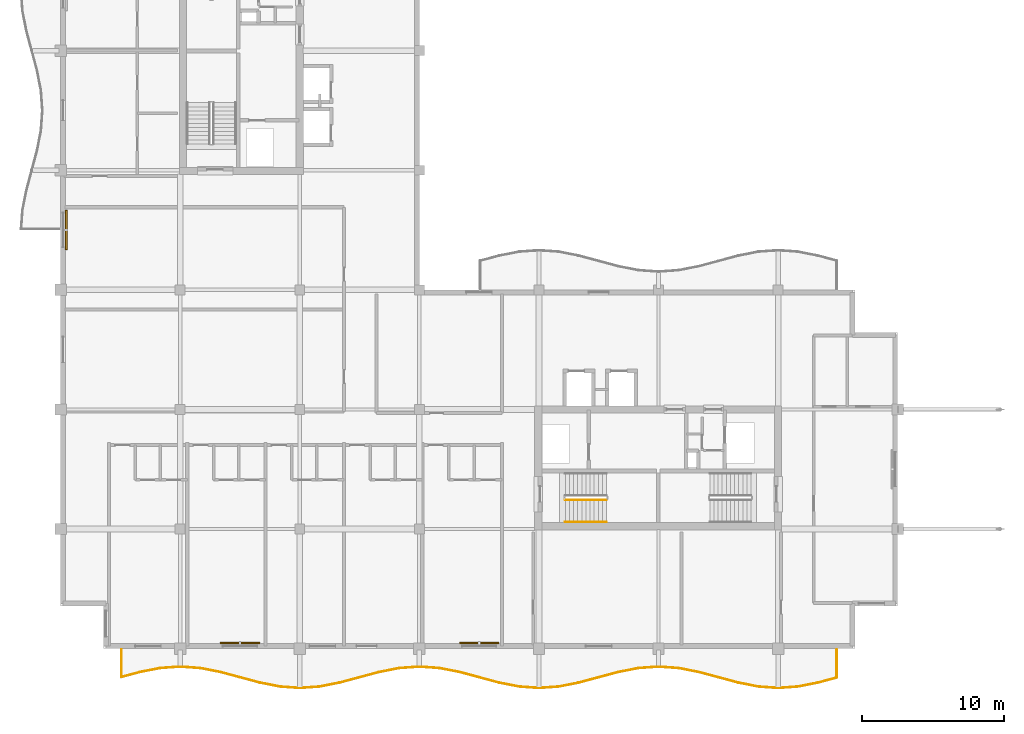
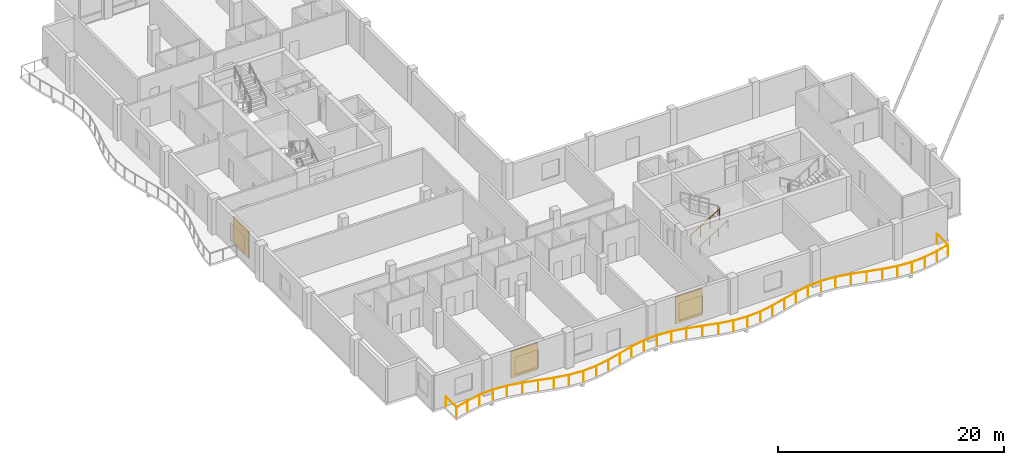
# One storey, part 15 of 17: 3 railings, 3 shading devices.
"""IFC4 building model written with IfcOpenShell, lengths in metres."""

from ifc_helpers import new_model, si_unit, direction, frame, origin, origin_2d, place, context, subcontext, project, spatial, rectangle, circle, extrude, material, layer, layer_set, type_object, element, save


model = new_model("IFC4")

# Units and contexts
model_context = context("Model", 3, precision=1e-05, world=origin(), true_north=direction((0.0, 1.0)))
body_context = subcontext(model_context, "Body", "Model", "MODEL_VIEW")
ifc_project = project(units=[si_unit("LENGTHUNIT", "METRE"), si_unit("AREAUNIT", "SQUARE_METRE"), si_unit("VOLUMEUNIT", "CUBIC_METRE"), si_unit("PLANEANGLEUNIT", "RADIAN"), si_unit("MASSUNIT", "GRAM", prefix="KILO")], contexts=[model_context])

# Site, building, storey
site_placement = place(None, origin())
site = spatial("IfcSite", under=ifc_project, at=site_placement, CompositionType="ELEMENT")
building_placement = place(site_placement, origin())
building = spatial("IfcBuilding", under=site, at=building_placement, Name="Koriwani Terraces Tower", CompositionType="ELEMENT")
storey_placement = place(building_placement, frame((0.0, 0.0, 347.60009765625)))
storey = spatial("IfcBuildingStorey", under=building, at=storey_placement, Name="L86", CompositionType="ELEMENT", Elevation=347.60009765625)

# Railings
ifc_material_1 = material(Name="Steel ASTM A572 Grade 50", Category="steel")
railing_type_1 = type_object("IfcRailingType", Name="GUARD_BALUSTRADE_1150", PredefinedType="BALUSTRADE", material=ifc_material_1)
railing_1_placement = place(storey_placement, frame((12.679931640625, 8.320068359375, 0.0)))
element("IfcRailing", 1, at=railing_1_placement, inside=storey, type_object=railing_type_1, Name="L86 Balcony Perimeter Safety Balustrade (S)", PredefinedType="BALUSTRADE", context=body_context, shape_type="SweptSolid", body=[
    extrude(circle(Radius=0.02392578125, at=origin_2d()), frame((0.0, 0.0, 1.1259765625), z_axis=(0.0, -1.0, 0.0), x_axis=(1.0, 0.0, 0.0)), (0.0, 0.0, 1.0), 1.915771484375),
    extrude(circle(Radius=0.02392578125, at=origin_2d()), frame((0.0, -1.915771484375, 1.1259765625), z_axis=(0.965969874285, 0.258654599752, 0.0), x_axis=(-0.258654599752, 0.965969874285, 0.0)), (0.0, 0.0, 1.0), 1.347900390625),
    extrude(circle(Radius=0.02392578125, at=origin_2d()), frame((1.302001953125, -1.567138671875, 1.1259765625), z_axis=(0.981358469957, 0.192186246762, 0.0), x_axis=(-0.192186246762, 0.981358469957, 0.0)), (0.0, 0.0, 1.0), 1.434326171875),
    extrude(circle(Radius=0.02392578125, at=origin_2d()), frame((2.70947265625, -1.29150390625, 1.1259765625), z_axis=(0.997430581876, 0.071639614309, 0.0), x_axis=(-0.071639614309, 0.997430581876, 0.0)), (0.0, 0.0, 1.0), 1.414306640625),
    extrude(circle(Radius=0.02392578125, at=origin_2d()), frame((4.1201171875, -1.190185546875, 1.1259765625), z_axis=(0.997430581876, -0.071639614309, 0.0), x_axis=(0.071639614309, 0.997430581876, 0.0)), (0.0, 0.0, 1.0), 1.414306640625),
    extrude(circle(Radius=0.02392578125, at=origin_2d()), frame((5.53076171875, -1.29150390625, 1.1259765625), z_axis=(0.981352180954, -0.192218357442, 0.0), x_axis=(0.192218357442, 0.981352180954, 0.0)), (0.0, 0.0, 1.0), 1.43408203125),
    extrude(circle(Radius=0.02392578125, at=origin_2d()), frame((6.93798828125, -1.567138671875, 1.1259765625), z_axis=(0.965954816498, -0.258710827923, 0.0), x_axis=(0.258710827923, 0.965954816498, 0.0)), (0.0, 0.0, 1.0), 2.89892578125),
    extrude(circle(Radius=0.02392578125, at=origin_2d()), frame((9.73828125, -2.317138671875, 1.1259765625), z_axis=(0.981321393675, -0.19237547223, 0.0), x_axis=(0.19237547223, 0.981321393675, 0.0)), (0.0, 0.0, 1.0), 1.4189453125),
    extrude(circle(Radius=0.02392578125, at=origin_2d()), frame((11.130615234375, -2.590087890625, 1.1259765625), z_axis=(0.997427466293, -0.07168297904, 0.0), x_axis=(0.07168297904, 0.997427466293, 0.0)), (0.0, 0.0, 1.0), 1.39306640625),
    extrude(circle(Radius=0.02392578125, at=origin_2d()), frame((12.52001953125, -2.68994140625, 1.1259765625), z_axis=(0.997427466293, 0.07168297904, 0.0), x_axis=(-0.07168297904, 0.997427466293, 0.0)), (0.0, 0.0, 1.0), 1.39306640625),
    extrude(circle(Radius=0.02392578125, at=origin_2d()), frame((13.909423828125, -2.590087890625, 1.1259765625), z_axis=(0.981327760125, 0.192342993657, 0.0), x_axis=(-0.192342993657, 0.981327760125, 0.0)), (0.0, 0.0, 1.0), 1.419189453125),
    extrude(circle(Radius=0.02392578125, at=origin_2d()), frame((15.302001953125, -2.317138671875, 1.1259765625), z_axis=(0.96594917914, 0.258731875344, 0.0), x_axis=(-0.258731875344, 0.96594917914, 0.0)), (0.0, 0.0, 1.0), 2.898681640625),
    extrude(circle(Radius=0.02392578125, at=origin_2d()), frame((18.10205078125, -1.567138671875, 1.1259765625), z_axis=(0.981358469957, 0.192186246762, 0.0), x_axis=(-0.192186246762, 0.981358469957, 0.0)), (0.0, 0.0, 1.0), 1.434326171875),
    extrude(circle(Radius=0.02392578125, at=origin_2d()), frame((19.509521484375, -1.29150390625, 1.1259765625), z_axis=(0.997430581876, 0.071639614309, 0.0), x_axis=(-0.071639614309, 0.997430581876, 0.0)), (0.0, 0.0, 1.0), 1.414306640625),
    extrude(circle(Radius=0.02392578125, at=origin_2d()), frame((20.920166015625, -1.190185546875, 1.1259765625), z_axis=(0.997429695692, -0.071651951482, 0.0), x_axis=(0.071651951482, 0.997429695692, 0.0)), (0.0, 0.0, 1.0), 1.4140625),
    extrude(circle(Radius=0.02392578125, at=origin_2d()), frame((22.33056640625, -1.29150390625, 1.1259765625), z_axis=(0.981358469957, -0.192186246762, 0.0), x_axis=(0.192186246762, 0.981358469957, 0.0)), (0.0, 0.0, 1.0), 1.434326171875),
    extrude(circle(Radius=0.02392578125, at=origin_2d()), frame((23.738037109375, -1.567138671875, 1.1259765625), z_axis=(0.96594917914, -0.258731875344, 0.0), x_axis=(0.258731875344, 0.96594917914, 0.0)), (0.0, 0.0, 1.0), 2.898681640625),
    extrude(circle(Radius=0.02392578125, at=origin_2d()), frame((26.5380859375, -2.317138671875, 1.1259765625), z_axis=(0.981327760125, -0.192342993657, 0.0), x_axis=(0.192342993657, 0.981327760125, 0.0)), (0.0, 0.0, 1.0), 1.419189453125),
    extrude(circle(Radius=0.02392578125, at=origin_2d()), frame((27.9306640625, -2.590087890625, 1.1259765625), z_axis=(0.997427466293, -0.07168297904, 0.0), x_axis=(0.07168297904, 0.997427466293, 0.0)), (0.0, 0.0, 1.0), 1.39306640625),
    extrude(circle(Radius=0.02392578125, at=origin_2d()), frame((29.320068359375, -2.68994140625, 1.1259765625), z_axis=(0.997427466293, 0.07168297904, 0.0), x_axis=(-0.07168297904, 0.997427466293, 0.0)), (0.0, 0.0, 1.0), 1.39306640625),
    extrude(circle(Radius=0.02392578125, at=origin_2d()), frame((30.70947265625, -2.590087890625, 1.1259765625), z_axis=(0.981327760125, 0.192342993657, 0.0), x_axis=(-0.192342993657, 0.981327760125, 0.0)), (0.0, 0.0, 1.0), 1.419189453125),
    extrude(circle(Radius=0.02392578125, at=origin_2d()), frame((32.10205078125, -2.317138671875, 1.1259765625), z_axis=(0.96594917914, 0.258731875344, 0.0), x_axis=(-0.258731875344, 0.96594917914, 0.0)), (0.0, 0.0, 1.0), 2.898681640625),
    extrude(circle(Radius=0.02392578125, at=origin_2d()), frame((34.902099609375, -1.567138671875, 1.1259765625), z_axis=(0.981358469957, 0.192186246762, 0.0), x_axis=(-0.192186246762, 0.981358469957, 0.0)), (0.0, 0.0, 1.0), 1.434326171875),
    extrude(circle(Radius=0.02392578125, at=origin_2d()), frame((36.3095703125, -1.29150390625, 1.1259765625), z_axis=(0.997429695692, 0.071651951482, 0.0), x_axis=(-0.071651951482, 0.997429695692, 0.0)), (0.0, 0.0, 1.0), 1.4140625),
    extrude(circle(Radius=0.02392578125, at=origin_2d()), frame((37.719970703125, -1.190185546875, 1.1259765625), z_axis=(0.997430581876, -0.071639614309, 0.0), x_axis=(0.071639614309, 0.997430581876, 0.0)), (0.0, 0.0, 1.0), 1.414306640625),
    extrude(circle(Radius=0.02392578125, at=origin_2d()), frame((39.130615234375, -1.29150390625, 1.1259765625), z_axis=(0.981358469957, -0.192186246762, 0.0), x_axis=(0.192186246762, 0.981358469957, 0.0)), (0.0, 0.0, 1.0), 1.434326171875),
    extrude(circle(Radius=0.02392578125, at=origin_2d()), frame((40.5380859375, -1.567138671875, 1.1259765625), z_axis=(0.96594917914, -0.258731875344, 0.0), x_axis=(0.258731875344, 0.96594917914, 0.0)), (0.0, 0.0, 1.0), 2.898681640625),
    extrude(circle(Radius=0.02392578125, at=origin_2d()), frame((43.338134765625, -2.317138671875, 1.1259765625), z_axis=(0.981327760125, -0.192342993657, 0.0), x_axis=(0.192342993657, 0.981327760125, 0.0)), (0.0, 0.0, 1.0), 1.419189453125),
    extrude(circle(Radius=0.02392578125, at=origin_2d()), frame((44.730712890625, -2.590087890625, 1.1259765625), z_axis=(0.997427466293, -0.07168297904, 0.0), x_axis=(0.07168297904, 0.997427466293, 0.0)), (0.0, 0.0, 1.0), 1.39306640625),
    extrude(circle(Radius=0.02392578125, at=origin_2d()), frame((46.1201171875, -2.68994140625, 1.1259765625), z_axis=(0.997427466293, 0.07168297904, 0.0), x_axis=(-0.07168297904, 0.997427466293, 0.0)), (0.0, 0.0, 1.0), 1.39306640625),
    extrude(circle(Radius=0.02392578125, at=origin_2d()), frame((47.509521484375, -2.590087890625, 1.1259765625), z_axis=(0.981321393675, 0.19237547223, 0.0), x_axis=(-0.19237547223, 0.981321393675, 0.0)), (0.0, 0.0, 1.0), 1.4189453125),
    extrude(circle(Radius=0.02392578125, at=origin_2d()), frame((48.90185546875, -2.317138671875, 1.1259765625), z_axis=(0.965953557044, 0.25871553033, 0.0), x_axis=(-0.25871553033, 0.965953557044, 0.0)), (0.0, 0.0, 1.0), 1.38525390625),
    extrude(circle(Radius=0.02392578125, at=origin_2d()), frame((50.239990234375, -1.958740234375, 1.1259765625), z_axis=(0.0, 1.0, 0.0), x_axis=(-1.0, 0.0, 0.0)), (0.0, 0.0, 1.0), 1.958740234375),
    extrude(circle(Radius=0.02099609375, at=origin_2d()), origin(), (0.0, 0.0, 1.0), 1.101806640625),
    extrude(circle(Radius=0.02099609375, at=origin_2d()), frame((0.0, -1.915771484375, 0.0)), (0.0, 0.0, 1.0), 1.101806640625),
    extrude(circle(Radius=0.02099609375, at=origin_2d()), frame((1.302001953125, -1.567138671875, 0.0)), (0.0, 0.0, 1.0), 1.101806640625),
    extrude(circle(Radius=0.02099609375, at=origin_2d()), frame((2.70947265625, -1.29150390625, 0.0)), (0.0, 0.0, 1.0), 1.101806640625),
    extrude(circle(Radius=0.02099609375, at=origin_2d()), frame((4.1201171875, -1.190185546875, 0.0)), (0.0, 0.0, 1.0), 1.101806640625),
    extrude(circle(Radius=0.02099609375, at=origin_2d()), frame((5.53076171875, -1.29150390625, 0.0)), (0.0, 0.0, 1.0), 1.101806640625),
    extrude(circle(Radius=0.02099609375, at=origin_2d()), frame((6.93798828125, -1.567138671875, 0.0)), (0.0, 0.0, 1.0), 1.101806640625),
    extrude(circle(Radius=0.02099609375, at=origin_2d()), frame((8.338134765625, -1.942138671875, 0.0)), (0.0, 0.0, 1.0), 1.101806640625),
    extrude(circle(Radius=0.02099609375, at=origin_2d()), frame((9.73828125, -2.317138671875, 0.0)), (0.0, 0.0, 1.0), 1.101806640625),
    extrude(circle(Radius=0.02099609375, at=origin_2d()), frame((11.130615234375, -2.590087890625, 0.0)), (0.0, 0.0, 1.0), 1.101806640625),
    extrude(circle(Radius=0.02099609375, at=origin_2d()), frame((12.52001953125, -2.68994140625, 0.0)), (0.0, 0.0, 1.0), 1.101806640625),
    extrude(circle(Radius=0.02099609375, at=origin_2d()), frame((13.909423828125, -2.590087890625, 0.0)), (0.0, 0.0, 1.0), 1.101806640625),
    extrude(circle(Radius=0.02099609375, at=origin_2d()), frame((15.302001953125, -2.317138671875, 0.0)), (0.0, 0.0, 1.0), 1.101806640625),
    extrude(circle(Radius=0.02099609375, at=origin_2d()), frame((16.7021484375, -1.942138671875, 0.0)), (0.0, 0.0, 1.0), 1.101806640625),
    extrude(circle(Radius=0.02099609375, at=origin_2d()), frame((18.10205078125, -1.567138671875, 0.0)), (0.0, 0.0, 1.0), 1.101806640625),
    extrude(circle(Radius=0.02099609375, at=origin_2d()), frame((19.509521484375, -1.29150390625, 0.0)), (0.0, 0.0, 1.0), 1.101806640625),
    extrude(circle(Radius=0.02099609375, at=origin_2d()), frame((20.920166015625, -1.190185546875, 0.0)), (0.0, 0.0, 1.0), 1.101806640625),
    extrude(circle(Radius=0.02099609375, at=origin_2d()), frame((22.33056640625, -1.29150390625, 0.0)), (0.0, 0.0, 1.0), 1.101806640625),
    extrude(circle(Radius=0.02099609375, at=origin_2d()), frame((23.738037109375, -1.567138671875, 0.0)), (0.0, 0.0, 1.0), 1.101806640625),
    extrude(circle(Radius=0.02099609375, at=origin_2d()), frame((25.13818359375, -1.942138671875, 0.0)), (0.0, 0.0, 1.0), 1.101806640625),
    extrude(circle(Radius=0.02099609375, at=origin_2d()), frame((26.5380859375, -2.317138671875, 0.0)), (0.0, 0.0, 1.0), 1.101806640625),
    extrude(circle(Radius=0.02099609375, at=origin_2d()), frame((27.9306640625, -2.590087890625, 0.0)), (0.0, 0.0, 1.0), 1.101806640625),
    extrude(circle(Radius=0.02099609375, at=origin_2d()), frame((29.320068359375, -2.68994140625, 0.0)), (0.0, 0.0, 1.0), 1.101806640625),
    extrude(circle(Radius=0.02099609375, at=origin_2d()), frame((30.70947265625, -2.590087890625, 0.0)), (0.0, 0.0, 1.0), 1.101806640625),
    extrude(circle(Radius=0.02099609375, at=origin_2d()), frame((32.10205078125, -2.317138671875, 0.0)), (0.0, 0.0, 1.0), 1.101806640625),
    extrude(circle(Radius=0.02099609375, at=origin_2d()), frame((33.501953125, -1.942138671875, 0.0)), (0.0, 0.0, 1.0), 1.101806640625),
    extrude(circle(Radius=0.02099609375, at=origin_2d()), frame((34.902099609375, -1.567138671875, 0.0)), (0.0, 0.0, 1.0), 1.101806640625),
    extrude(circle(Radius=0.02099609375, at=origin_2d()), frame((36.3095703125, -1.29150390625, 0.0)), (0.0, 0.0, 1.0), 1.101806640625),
    extrude(circle(Radius=0.02099609375, at=origin_2d()), frame((37.719970703125, -1.190185546875, 0.0)), (0.0, 0.0, 1.0), 1.101806640625),
    extrude(circle(Radius=0.02099609375, at=origin_2d()), frame((39.130615234375, -1.29150390625, 0.0)), (0.0, 0.0, 1.0), 1.101806640625),
    extrude(circle(Radius=0.02099609375, at=origin_2d()), frame((40.5380859375, -1.567138671875, 0.0)), (0.0, 0.0, 1.0), 1.101806640625),
    extrude(circle(Radius=0.02099609375, at=origin_2d()), frame((41.93798828125, -1.942138671875, 0.0)), (0.0, 0.0, 1.0), 1.101806640625),
    extrude(circle(Radius=0.02099609375, at=origin_2d()), frame((43.338134765625, -2.317138671875, 0.0)), (0.0, 0.0, 1.0), 1.101806640625),
    extrude(circle(Radius=0.02099609375, at=origin_2d()), frame((44.730712890625, -2.590087890625, 0.0)), (0.0, 0.0, 1.0), 1.101806640625),
    extrude(circle(Radius=0.02099609375, at=origin_2d()), frame((46.1201171875, -2.68994140625, 0.0)), (0.0, 0.0, 1.0), 1.101806640625),
    extrude(circle(Radius=0.02099609375, at=origin_2d()), frame((47.509521484375, -2.590087890625, 0.0)), (0.0, 0.0, 1.0), 1.101806640625),
    extrude(circle(Radius=0.02099609375, at=origin_2d()), frame((48.90185546875, -2.317138671875, 0.0)), (0.0, 0.0, 1.0), 1.101806640625),
    extrude(circle(Radius=0.02099609375, at=origin_2d()), frame((50.239990234375, -1.958740234375, 0.0)), (0.0, 0.0, 1.0), 1.101806640625),
    extrude(circle(Radius=0.02099609375, at=origin_2d()), frame((50.239990234375, 0.0, 0.0)), (0.0, 0.0, 1.0), 1.101806640625),
])
railing_type_2 = type_object("IfcRailingType", Name="GUARD_STAIR_WELL_1120", PredefinedType="GUARDRAIL", material=ifc_material_1)
railing_2_placement = place(storey_placement, frame((43.85009765625, 18.85009765625, 0.17724609375)))
element("IfcRailing", 2, at=railing_2_placement, inside=storey, type_object=railing_type_2, Name="L86 ST-E1 stair guard 1", PredefinedType="GUARDRAIL", context=body_context, shape_type="SweptSolid", body=[
    extrude(circle(Radius=0.02392578125, at=origin_2d()), frame((0.0, 0.0, 1.1259765625), z_axis=(0.853210801645, 0.0, 0.521566225858), x_axis=(0.0, 1.0, 0.0)), (0.0, 0.0, 1.0), 3.39892578125),
    extrude(circle(Radius=0.02099609375, at=origin_2d()), origin(), (0.0, 0.0, 1.0), 1.101806640625),
    extrude(circle(Radius=0.02099609375, at=origin_2d()), frame((0.966552734375, 0.0, 0.5908203125)), (0.0, 0.0, 1.0), 1.101806640625),
    extrude(circle(Radius=0.02099609375, at=origin_2d()), frame((1.933349609375, 0.0, 1.181884765625)), (0.0, 0.0, 1.0), 1.101806640625),
    extrude(circle(Radius=0.02099609375, at=origin_2d()), frame((2.89990234375, 0.0, 1.772705078125)), (0.0, 0.0, 1.0), 1.101806640625),
])
railing_type_3 = type_object("IfcRailingType", Name="HANDRAIL_STAIR_920", PredefinedType="HANDRAIL", material=ifc_material_1)
railing_3_placement = place(storey_placement, frame((43.85009765625, 17.300048828125, 0.17724609375)))
element("IfcRailing", 3, at=railing_3_placement, inside=storey, type_object=railing_type_3, Name="L86 ST-E1 stair handrail 1", PredefinedType="HANDRAIL", context=body_context, shape_type="SweptSolid", body=[
    extrude(circle(Radius=0.02392578125, at=origin_2d()), frame((0.0, 0.0, 0.8759765625), z_axis=(0.853210801645, 0.0, 0.521566225858), x_axis=(0.0, 1.0, 0.0)), (0.0, 0.0, 1.0), 3.39892578125),
    extrude(circle(Radius=0.02099609375, at=origin_2d()), origin(), (0.0, 0.0, 1.0), 0.851806640625),
    extrude(circle(Radius=0.02099609375, at=origin_2d()), frame((0.966552734375, 0.0, 0.5908203125)), (0.0, 0.0, 1.0), 0.851806640625),
    extrude(circle(Radius=0.02099609375, at=origin_2d()), frame((1.933349609375, 0.0, 1.181884765625)), (0.0, 0.0, 1.0), 0.851806640625),
    extrude(circle(Radius=0.02099609375, at=origin_2d()), frame((2.89990234375, 0.0, 1.772705078125)), (0.0, 0.0, 1.0), 0.851806640625),
])

# Shading devices
ifc_material_2 = material(Name="Extruded Terracotta Clay", Category="masonry")
ifc_layer = layer(ifc_material_2, 0.1201171875, Name="Extruded Terracotta Clay")
ifc_layer_set = layer_set([ifc_layer], Name="Extruded Terracotta Clay")
shading_device_type = type_object("IfcShadingDeviceType", Name="TERRACOTTA_BAGUETTE_SCREEN_2800", PredefinedType="USERDEFINED", material=ifc_layer_set)
for number, where, z_axis, x_axis, name in (
    (4, (8.804931640625, 37.800048828125, 0.385009765625), (0.0, 0.0, 1.0), (0.0, 1.0, 0.0), "L86 Extruded Terracotta Baguette Screen (W-9)"),
    (5, (21.0, 8.804931640625, 0.385009765625), (0.0, 0.0, 1.0), (-1.0, 0.0, 0.0), "L86 Extruded Terracotta Baguette Screen (S-3)"),
    (6, (37.800048828125, 8.804931640625, 0.385009765625), (0.0, 0.0, 1.0), (-1.0, 0.0, 0.0), "L86 Extruded Terracotta Baguette Screen (S-9)"),
):
    element("IfcShadingDevice", number, at=place(storey_placement, frame(where, z_axis=z_axis, x_axis=x_axis)), inside=storey, type_object=shading_device_type, Name=name, ObjectType="BAGUETTE", PredefinedType="USERDEFINED", context=body_context, shape_type="SweptSolid", body=[
        extrude(rectangle(XDim=2.760009765625, YDim=0.1201171875, at=origin_2d()), origin(), (0.0, 0.0, 1.0), 2.89990234375),
    ])

save(model, "model.ifc")
